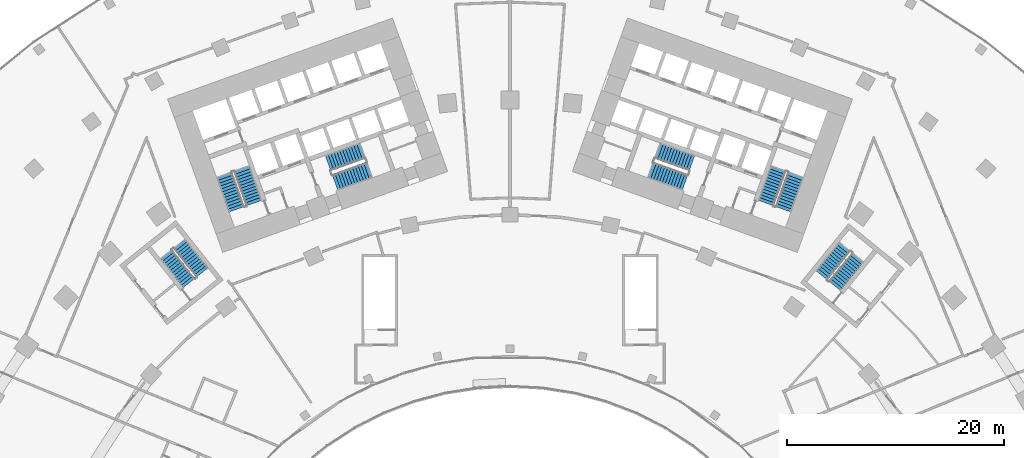
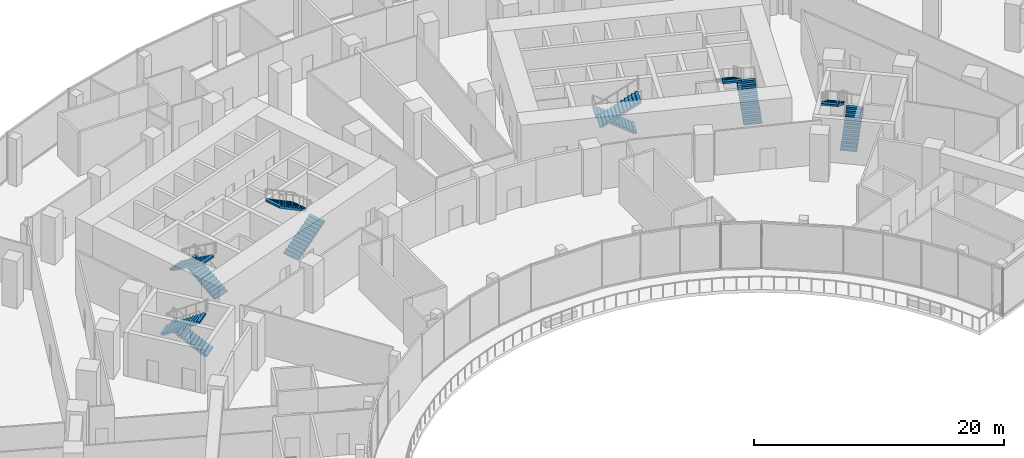
# One storey, part 30 of 33: 12 stair flights, 6 elements without a shape of their own.
"""IFC4 building model written with IfcOpenShell, lengths in metres."""

from ifc_helpers import new_model, si_unit, direction, frame, origin, place, context, subcontext, project, spatial, polyline, outline, extrude, material, type_object, element, aggregate, save


model = new_model("IFC4")

# Units and contexts
model_context = context("Model", 3, precision=1e-05, world=origin(), true_north=direction((0.0, 1.0)))
body_context = subcontext(model_context, "Body", "Model", "MODEL_VIEW")
ifc_project = project(units=[si_unit("LENGTHUNIT", "METRE"), si_unit("AREAUNIT", "SQUARE_METRE"), si_unit("VOLUMEUNIT", "CUBIC_METRE"), si_unit("PLANEANGLEUNIT", "RADIAN"), si_unit("MASSUNIT", "GRAM", prefix="KILO")], contexts=[model_context])

# Site, building, storey
site_placement = place(None, origin())
site = spatial("IfcSite", under=ifc_project, at=site_placement, CompositionType="ELEMENT")
building_placement = place(site_placement, origin())
building = spatial("IfcBuilding", under=site, at=building_placement, Name="Stone Belt Terrace Tower", CompositionType="ELEMENT")
storey_placement = place(building_placement, frame((0.0, 0.0, 25.39990234375)))
storey = spatial("IfcBuildingStorey", under=building, at=storey_placement, Name="L05", CompositionType="ELEMENT", Elevation=25.39990234375)

# Stair, stair flights
ifc_material = material(Name="Concrete B40", Category="concrete")
stair_type = type_object("IfcStairType", Name="Exit stair 1500", PredefinedType="HALF_TURN_STAIR", material=ifc_material)
stair_1_placement = place(storey_placement, origin())
stair_1 = element("IfcStair", 1, at=stair_1_placement, inside=storey, type_object=stair_type, Name="L05 Exit stair 1 core A", PredefinedType="HALF_TURN_STAIR")
stair_flight_type = type_object("IfcStairFlightType", Name="Stair flight 1500", PredefinedType="STRAIGHT", material=ifc_material)
stair_flight_1_placement = place(storey_placement, frame((-23.55322265625, 45.51318359375, 0.0), z_axis=(0.0, 0.0, 1.0), x_axis=(-0.338624396177, 0.940921632398, 0.0)))
stair_flight_1 = element("IfcStairFlight", 2, at=stair_flight_1_placement, type_object=stair_flight_type, Name="ST1A flight 1", NumberOfRisers=13, NumberOfTreads=12, PredefinedType="STRAIGHT", RiserHeight=0.176923077, TreadLength=0.28, context=body_context, shape_type="SweptSolid", body=[
    extrude(outline(polyline([(0.0, 0.0), (0.0, 0.177001953125), (0.280029296875, 0.177001953125), (0.280029296875, 0.353759765625), (0.56005859375, 0.353759765625), (0.56005859375, 0.53076171875), (0.840087890625, 0.53076171875), (0.840087890625, 0.707763671875), (1.1201171875, 0.707763671875), (1.1201171875, 0.884521484375), (1.39990234375, 0.884521484375), (1.39990234375, 1.0615234375), (1.679931640625, 1.0615234375), (1.679931640625, 1.238525390625), (1.9599609375, 1.238525390625), (1.9599609375, 1.415283203125), (2.239990234375, 1.415283203125), (2.239990234375, 1.59228515625), (2.52001953125, 1.59228515625), (2.52001953125, 1.769287109375), (2.800048828125, 1.769287109375), (2.800048828125, 1.946044921875), (3.080078125, 1.946044921875), (3.080078125, 2.123046875), (3.360107421875, 2.123046875), (3.360107421875, 2.300048828125), (3.360107421875, 1.94580078125), (0.280517578125, 0.0), (0.0, 0.0)])), frame((0.0, 0.75, 0.0), z_axis=(0.0, -1.0, 0.0), x_axis=(1.0, 0.0, 0.0)), (0.0, 0.0, 1.0), 1.5),
])
stair_flight_2_placement = place(storey_placement, frame((-26.290771484375, 48.098876953125, 2.300048828125), z_axis=(0.0, 0.0, 1.0), x_axis=(0.338624396177, -0.940921632398, 0.0)))
stair_flight_2 = element("IfcStairFlight", 3, at=stair_flight_2_placement, type_object=stair_flight_type, Name="ST1A flight 2", NumberOfRisers=13, NumberOfTreads=12, PredefinedType="STRAIGHT", RiserHeight=0.176923077, TreadLength=0.28, context=body_context, shape_type="SweptSolid", body=[
    extrude(outline(polyline([(0.0, 0.0), (0.0, 0.177001953125), (0.280029296875, 0.177001953125), (0.280029296875, 0.353759765625), (0.56005859375, 0.353759765625), (0.56005859375, 0.53076171875), (0.840087890625, 0.53076171875), (0.840087890625, 0.707763671875), (1.1201171875, 0.707763671875), (1.1201171875, 0.884521484375), (1.39990234375, 0.884521484375), (1.39990234375, 1.0615234375), (1.679931640625, 1.0615234375), (1.679931640625, 1.238525390625), (1.9599609375, 1.238525390625), (1.9599609375, 1.415283203125), (2.239990234375, 1.415283203125), (2.239990234375, 1.59228515625), (2.52001953125, 1.59228515625), (2.52001953125, 1.769287109375), (2.800048828125, 1.769287109375), (2.800048828125, 1.946044921875), (3.080078125, 1.946044921875), (3.080078125, 2.123046875), (3.360107421875, 2.123046875), (3.360107421875, 2.300048828125), (3.360107421875, 1.94580078125), (0.280517578125, 0.0), (0.0, 0.0)])), frame((0.0, 0.75, 0.0), z_axis=(0.0, -1.0, 0.0), x_axis=(1.0, 0.0, 0.0)), (0.0, 0.0, 1.0), 1.5),
])
aggregate(stair_1, [stair_flight_1, stair_flight_2])

stair_2_placement = place(storey_placement, origin())
stair_2 = element("IfcStair", 4, at=stair_2_placement, inside=storey, type_object=stair_type, Name="L05 Exit stair 2 core A", PredefinedType="HALF_TURN_STAIR")
stair_flight_3_placement = place(storey_placement, frame((-16.101318359375, 47.39794921875, 0.0), z_axis=(0.0, 0.0, 1.0), x_axis=(0.940921632398, 0.338624396177, 0.0)))
stair_flight_3 = element("IfcStairFlight", 5, at=stair_flight_3_placement, type_object=stair_flight_type, Name="ST2A flight 1", NumberOfRisers=13, NumberOfTreads=12, PredefinedType="STRAIGHT", RiserHeight=0.176923077, TreadLength=0.28, context=body_context, shape_type="SweptSolid", body=[
    extrude(outline(polyline([(0.0, 0.0), (0.0, 0.177001953125), (0.280029296875, 0.177001953125), (0.280029296875, 0.353759765625), (0.56005859375, 0.353759765625), (0.56005859375, 0.53076171875), (0.840087890625, 0.53076171875), (0.840087890625, 0.707763671875), (1.1201171875, 0.707763671875), (1.1201171875, 0.884521484375), (1.39990234375, 0.884521484375), (1.39990234375, 1.0615234375), (1.679931640625, 1.0615234375), (1.679931640625, 1.238525390625), (1.9599609375, 1.238525390625), (1.9599609375, 1.415283203125), (2.239990234375, 1.415283203125), (2.239990234375, 1.59228515625), (2.52001953125, 1.59228515625), (2.52001953125, 1.769287109375), (2.800048828125, 1.769287109375), (2.800048828125, 1.946044921875), (3.080078125, 1.946044921875), (3.080078125, 2.123046875), (3.360107421875, 2.123046875), (3.360107421875, 2.300048828125), (3.360107421875, 1.94580078125), (0.280517578125, 0.0), (0.0, 0.0)])), frame((0.0, 0.75, 0.0), z_axis=(0.0, -1.0, 0.0), x_axis=(1.0, 0.0, 0.0)), (0.0, 0.0, 1.0), 1.5),
])
stair_flight_4_placement = place(storey_placement, frame((-13.583251953125, 50.323486328125, 2.300048828125), z_axis=(0.0, 0.0, 1.0), x_axis=(-0.940921632398, -0.338624396177, 0.0)))
stair_flight_4 = element("IfcStairFlight", 6, at=stair_flight_4_placement, type_object=stair_flight_type, Name="ST2A flight 2", NumberOfRisers=13, NumberOfTreads=12, PredefinedType="STRAIGHT", RiserHeight=0.176923077, TreadLength=0.28, context=body_context, shape_type="SweptSolid", body=[
    extrude(outline(polyline([(0.0, 0.0), (0.0, 0.177001953125), (0.280029296875, 0.177001953125), (0.280029296875, 0.353759765625), (0.56005859375, 0.353759765625), (0.56005859375, 0.53076171875), (0.840087890625, 0.53076171875), (0.840087890625, 0.707763671875), (1.1201171875, 0.707763671875), (1.1201171875, 0.884521484375), (1.39990234375, 0.884521484375), (1.39990234375, 1.0615234375), (1.679931640625, 1.0615234375), (1.679931640625, 1.238525390625), (1.9599609375, 1.238525390625), (1.9599609375, 1.415283203125), (2.239990234375, 1.415283203125), (2.239990234375, 1.59228515625), (2.52001953125, 1.59228515625), (2.52001953125, 1.769287109375), (2.800048828125, 1.769287109375), (2.800048828125, 1.946044921875), (3.080078125, 1.946044921875), (3.080078125, 2.123046875), (3.360107421875, 2.123046875), (3.360107421875, 2.300048828125), (3.360107421875, 1.94580078125), (0.280517578125, 0.0), (0.0, 0.0)])), frame((0.0, 0.75, 0.0), z_axis=(0.0, -1.0, 0.0), x_axis=(1.0, 0.0, 0.0)), (0.0, 0.0, 1.0), 1.5),
])
aggregate(stair_2, [stair_flight_3, stair_flight_4])

stair_3_placement = place(storey_placement, origin())
stair_3 = element("IfcStair", 7, at=stair_3_placement, inside=storey, type_object=stair_type, Name="L05 Exit stair 1 core B", PredefinedType="HALF_TURN_STAIR")
stair_flight_5_placement = place(storey_placement, frame((25.15283203125, 44.9375, 0.0), z_axis=(0.0, 0.0, 1.0), x_axis=(0.338624396177, 0.940921632398, 0.0)))
stair_flight_5 = element("IfcStairFlight", 8, at=stair_flight_5_placement, type_object=stair_flight_type, Name="ST1B flight 1", NumberOfRisers=13, NumberOfTreads=12, PredefinedType="STRAIGHT", RiserHeight=0.176923077, TreadLength=0.28, context=body_context, shape_type="SweptSolid", body=[
    extrude(outline(polyline([(0.0, 0.0), (0.0, 0.177001953125), (0.280029296875, 0.177001953125), (0.280029296875, 0.353759765625), (0.56005859375, 0.353759765625), (0.56005859375, 0.53076171875), (0.840087890625, 0.53076171875), (0.840087890625, 0.707763671875), (1.1201171875, 0.707763671875), (1.1201171875, 0.884521484375), (1.39990234375, 0.884521484375), (1.39990234375, 1.0615234375), (1.679931640625, 1.0615234375), (1.679931640625, 1.238525390625), (1.9599609375, 1.238525390625), (1.9599609375, 1.415283203125), (2.239990234375, 1.415283203125), (2.239990234375, 1.59228515625), (2.52001953125, 1.59228515625), (2.52001953125, 1.769287109375), (2.800048828125, 1.769287109375), (2.800048828125, 1.946044921875), (3.080078125, 1.946044921875), (3.080078125, 2.123046875), (3.360107421875, 2.123046875), (3.360107421875, 2.300048828125), (3.360107421875, 1.94580078125), (0.280517578125, 0.0), (0.0, 0.0)])), frame((0.0, 0.75, 0.0), z_axis=(0.0, -1.0, 0.0), x_axis=(1.0, 0.0, 0.0)), (0.0, 0.0, 1.0), 1.5),
])
stair_flight_6_placement = place(storey_placement, frame((24.691162109375, 48.674560546875, 2.300048828125), z_axis=(0.0, 0.0, 1.0), x_axis=(-0.338624396177, -0.940921632398, 0.0)))
stair_flight_6 = element("IfcStairFlight", 9, at=stair_flight_6_placement, type_object=stair_flight_type, Name="ST1B flight 2", NumberOfRisers=13, NumberOfTreads=12, PredefinedType="STRAIGHT", RiserHeight=0.176923077, TreadLength=0.28, context=body_context, shape_type="SweptSolid", body=[
    extrude(outline(polyline([(0.0, 0.0), (0.0, 0.177001953125), (0.280029296875, 0.177001953125), (0.280029296875, 0.353759765625), (0.56005859375, 0.353759765625), (0.56005859375, 0.53076171875), (0.840087890625, 0.53076171875), (0.840087890625, 0.707763671875), (1.1201171875, 0.707763671875), (1.1201171875, 0.884521484375), (1.39990234375, 0.884521484375), (1.39990234375, 1.0615234375), (1.679931640625, 1.0615234375), (1.679931640625, 1.238525390625), (1.9599609375, 1.238525390625), (1.9599609375, 1.415283203125), (2.239990234375, 1.415283203125), (2.239990234375, 1.59228515625), (2.52001953125, 1.59228515625), (2.52001953125, 1.769287109375), (2.800048828125, 1.769287109375), (2.800048828125, 1.946044921875), (3.080078125, 1.946044921875), (3.080078125, 2.123046875), (3.360107421875, 2.123046875), (3.360107421875, 2.300048828125), (3.360107421875, 1.94580078125), (0.280517578125, 0.0), (0.0, 0.0)])), frame((0.0, 0.75, 0.0), z_axis=(0.0, -1.0, 0.0), x_axis=(1.0, 0.0, 0.0)), (0.0, 0.0, 1.0), 1.5),
])
aggregate(stair_3, [stair_flight_5, stair_flight_6])

stair_4_placement = place(storey_placement, origin())
stair_4 = element("IfcStair", 10, at=stair_4_placement, inside=storey, type_object=stair_type, Name="L05 Exit stair 2 core B", PredefinedType="HALF_TURN_STAIR")
stair_flight_7_placement = place(storey_placement, frame((16.74462890625, 49.185546875, 0.0), z_axis=(0.0, 0.0, 1.0), x_axis=(-0.940921632398, 0.338624396177, 0.0)))
stair_flight_7 = element("IfcStairFlight", 11, at=stair_flight_7_placement, type_object=stair_flight_type, Name="ST2B flight 1", NumberOfRisers=13, NumberOfTreads=12, PredefinedType="STRAIGHT", RiserHeight=0.176923077, TreadLength=0.28, context=body_context, shape_type="SweptSolid", body=[
    extrude(outline(polyline([(0.0, 0.0), (0.0, 0.177001953125), (0.280029296875, 0.177001953125), (0.280029296875, 0.353759765625), (0.56005859375, 0.353759765625), (0.56005859375, 0.53076171875), (0.840087890625, 0.53076171875), (0.840087890625, 0.707763671875), (1.1201171875, 0.707763671875), (1.1201171875, 0.884521484375), (1.39990234375, 0.884521484375), (1.39990234375, 1.0615234375), (1.679931640625, 1.0615234375), (1.679931640625, 1.238525390625), (1.9599609375, 1.238525390625), (1.9599609375, 1.415283203125), (2.239990234375, 1.415283203125), (2.239990234375, 1.59228515625), (2.52001953125, 1.59228515625), (2.52001953125, 1.769287109375), (2.800048828125, 1.769287109375), (2.800048828125, 1.946044921875), (3.080078125, 1.946044921875), (3.080078125, 2.123046875), (3.360107421875, 2.123046875), (3.360107421875, 2.300048828125), (3.360107421875, 1.94580078125), (0.280517578125, 0.0), (0.0, 0.0)])), frame((0.0, 0.75, 0.0), z_axis=(0.0, -1.0, 0.0), x_axis=(1.0, 0.0, 0.0)), (0.0, 0.0, 1.0), 1.5),
])
stair_flight_8_placement = place(storey_placement, frame((12.93994140625, 48.53564453125, 2.300048828125), z_axis=(0.0, 0.0, 1.0), x_axis=(0.940921632398, -0.338624396177, 0.0)))
stair_flight_8 = element("IfcStairFlight", 12, at=stair_flight_8_placement, type_object=stair_flight_type, Name="ST2B flight 2", NumberOfRisers=13, NumberOfTreads=12, PredefinedType="STRAIGHT", RiserHeight=0.176923077, TreadLength=0.28, context=body_context, shape_type="SweptSolid", body=[
    extrude(outline(polyline([(0.0, 0.0), (0.0, 0.177001953125), (0.280029296875, 0.177001953125), (0.280029296875, 0.353759765625), (0.56005859375, 0.353759765625), (0.56005859375, 0.53076171875), (0.840087890625, 0.53076171875), (0.840087890625, 0.707763671875), (1.1201171875, 0.707763671875), (1.1201171875, 0.884521484375), (1.39990234375, 0.884521484375), (1.39990234375, 1.0615234375), (1.679931640625, 1.0615234375), (1.679931640625, 1.238525390625), (1.9599609375, 1.238525390625), (1.9599609375, 1.415283203125), (2.239990234375, 1.415283203125), (2.239990234375, 1.59228515625), (2.52001953125, 1.59228515625), (2.52001953125, 1.769287109375), (2.800048828125, 1.769287109375), (2.800048828125, 1.946044921875), (3.080078125, 1.946044921875), (3.080078125, 2.123046875), (3.360107421875, 2.123046875), (3.360107421875, 2.300048828125), (3.360107421875, 1.94580078125), (0.280517578125, 0.0), (0.0, 0.0)])), frame((0.0, 0.75, 0.0), z_axis=(0.0, -1.0, 0.0), x_axis=(1.0, 0.0, 0.0)), (0.0, 0.0, 1.0), 1.5),
])
aggregate(stair_4, [stair_flight_7, stair_flight_8])

stair_5_placement = place(storey_placement, origin())
stair_5 = element("IfcStair", 13, at=stair_5_placement, inside=storey, type_object=stair_type, Name="L05 Exit stair 3A", PredefinedType="HALF_TURN_STAIR")
stair_flight_9_placement = place(storey_placement, frame((-28.325439453125, 39.1240234375, 0.0), z_axis=(0.0, 0.0, 1.0), x_axis=(-0.623121363691, 0.782125160132, 0.0)))
stair_flight_9 = element("IfcStairFlight", 14, at=stair_flight_9_placement, type_object=stair_flight_type, Name="ST3A flight 1", NumberOfRisers=13, NumberOfTreads=12, PredefinedType="STRAIGHT", RiserHeight=0.176923077, TreadLength=0.28, context=body_context, shape_type="SweptSolid", body=[
    extrude(outline(polyline([(0.0, 0.0), (0.0, 0.177001953125), (0.280029296875, 0.177001953125), (0.280029296875, 0.353759765625), (0.56005859375, 0.353759765625), (0.56005859375, 0.53076171875), (0.840087890625, 0.53076171875), (0.840087890625, 0.707763671875), (1.1201171875, 0.707763671875), (1.1201171875, 0.884521484375), (1.39990234375, 0.884521484375), (1.39990234375, 1.0615234375), (1.679931640625, 1.0615234375), (1.679931640625, 1.238525390625), (1.9599609375, 1.238525390625), (1.9599609375, 1.415283203125), (2.239990234375, 1.415283203125), (2.239990234375, 1.59228515625), (2.52001953125, 1.59228515625), (2.52001953125, 1.769287109375), (2.800048828125, 1.769287109375), (2.800048828125, 1.946044921875), (3.080078125, 1.946044921875), (3.080078125, 2.123046875), (3.360107421875, 2.123046875), (3.360107421875, 2.300048828125), (3.360107421875, 1.94580078125), (0.280517578125, 0.0), (0.0, 0.0)])), frame((0.0, 0.675048828125, 0.0), z_axis=(0.0, -1.0, 0.0), x_axis=(1.0, 0.0, 0.0)), (0.0, 0.0, 1.0), 1.35009765625),
])
stair_flight_10_placement = place(storey_placement, frame((-31.63134765625, 40.7861328125, 2.300048828125), z_axis=(0.0, 0.0, 1.0), x_axis=(0.623121363691, -0.782125160132, 0.0)))
stair_flight_10 = element("IfcStairFlight", 15, at=stair_flight_10_placement, type_object=stair_flight_type, Name="ST3A flight 2", NumberOfRisers=13, NumberOfTreads=12, PredefinedType="STRAIGHT", RiserHeight=0.176923077, TreadLength=0.28, context=body_context, shape_type="SweptSolid", body=[
    extrude(outline(polyline([(0.0, 0.0), (0.0, 0.177001953125), (0.280029296875, 0.177001953125), (0.280029296875, 0.353759765625), (0.56005859375, 0.353759765625), (0.56005859375, 0.53076171875), (0.840087890625, 0.53076171875), (0.840087890625, 0.707763671875), (1.1201171875, 0.707763671875), (1.1201171875, 0.884521484375), (1.39990234375, 0.884521484375), (1.39990234375, 1.0615234375), (1.679931640625, 1.0615234375), (1.679931640625, 1.238525390625), (1.9599609375, 1.238525390625), (1.9599609375, 1.415283203125), (2.239990234375, 1.415283203125), (2.239990234375, 1.59228515625), (2.52001953125, 1.59228515625), (2.52001953125, 1.769287109375), (2.800048828125, 1.769287109375), (2.800048828125, 1.946044921875), (3.080078125, 1.946044921875), (3.080078125, 2.123046875), (3.360107421875, 2.123046875), (3.360107421875, 2.300048828125), (3.360107421875, 1.94580078125), (0.280517578125, 0.0), (0.0, 0.0)])), frame((0.0, 0.675048828125, 0.0), z_axis=(0.0, -1.0, 0.0), x_axis=(1.0, 0.0, 0.0)), (0.0, 0.0, 1.0), 1.35009765625),
])
aggregate(stair_5, [stair_flight_9, stair_flight_10])

stair_6_placement = place(storey_placement, origin())
stair_6 = element("IfcStair", 16, at=stair_6_placement, inside=storey, type_object=stair_type, Name="L05 Exit stair 3B", PredefinedType="HALF_TURN_STAIR")
stair_flight_11_placement = place(storey_placement, frame((29.88330078125, 37.887939453125, 0.0), z_axis=(0.0, 0.0, 1.0), x_axis=(0.630205749599, 0.776428176441, 0.0)))
stair_flight_11 = element("IfcStairFlight", 17, at=stair_flight_11_placement, type_object=stair_flight_type, Name="ST3B flight 1", NumberOfRisers=13, NumberOfTreads=12, PredefinedType="STRAIGHT", RiserHeight=0.176923077, TreadLength=0.28, context=body_context, shape_type="SweptSolid", body=[
    extrude(outline(polyline([(0.0, 0.0), (0.0, 0.177001953125), (0.280029296875, 0.177001953125), (0.280029296875, 0.353759765625), (0.56005859375, 0.353759765625), (0.56005859375, 0.53076171875), (0.840087890625, 0.53076171875), (0.840087890625, 0.707763671875), (1.1201171875, 0.707763671875), (1.1201171875, 0.884521484375), (1.39990234375, 0.884521484375), (1.39990234375, 1.0615234375), (1.679931640625, 1.0615234375), (1.679931640625, 1.238525390625), (1.9599609375, 1.238525390625), (1.9599609375, 1.415283203125), (2.239990234375, 1.415283203125), (2.239990234375, 1.59228515625), (2.52001953125, 1.59228515625), (2.52001953125, 1.769287109375), (2.800048828125, 1.769287109375), (2.800048828125, 1.946044921875), (3.080078125, 1.946044921875), (3.080078125, 2.123046875), (3.360107421875, 2.123046875), (3.360107421875, 2.300048828125), (3.360107421875, 1.94580078125), (0.280517578125, 0.0), (0.0, 0.0)])), frame((0.0, 0.675048828125, 0.0), z_axis=(0.0, -1.0, 0.0), x_axis=(1.0, 0.0, 0.0)), (0.0, 0.0, 1.0), 1.35009765625),
])
stair_flight_12_placement = place(storey_placement, frame((30.79736328125, 41.4736328125, 2.300048828125), z_axis=(0.0, 0.0, 1.0), x_axis=(-0.630205749599, -0.776428176441, 0.0)))
stair_flight_12 = element("IfcStairFlight", 18, at=stair_flight_12_placement, type_object=stair_flight_type, Name="ST3B flight 2", NumberOfRisers=13, NumberOfTreads=12, PredefinedType="STRAIGHT", RiserHeight=0.176923077, TreadLength=0.28, context=body_context, shape_type="SweptSolid", body=[
    extrude(outline(polyline([(0.0, 0.0), (0.0, 0.177001953125), (0.280029296875, 0.177001953125), (0.280029296875, 0.353759765625), (0.56005859375, 0.353759765625), (0.56005859375, 0.53076171875), (0.840087890625, 0.53076171875), (0.840087890625, 0.707763671875), (1.1201171875, 0.707763671875), (1.1201171875, 0.884521484375), (1.39990234375, 0.884521484375), (1.39990234375, 1.0615234375), (1.679931640625, 1.0615234375), (1.679931640625, 1.238525390625), (1.9599609375, 1.238525390625), (1.9599609375, 1.415283203125), (2.239990234375, 1.415283203125), (2.239990234375, 1.59228515625), (2.52001953125, 1.59228515625), (2.52001953125, 1.769287109375), (2.800048828125, 1.769287109375), (2.800048828125, 1.946044921875), (3.080078125, 1.946044921875), (3.080078125, 2.123046875), (3.360107421875, 2.123046875), (3.360107421875, 2.300048828125), (3.360107421875, 1.94580078125), (0.280517578125, 0.0), (0.0, 0.0)])), frame((0.0, 0.675048828125, 0.0), z_axis=(0.0, -1.0, 0.0), x_axis=(1.0, 0.0, 0.0)), (0.0, 0.0, 1.0), 1.35009765625),
])
aggregate(stair_6, [stair_flight_11, stair_flight_12])

save(model, "model.ifc")
